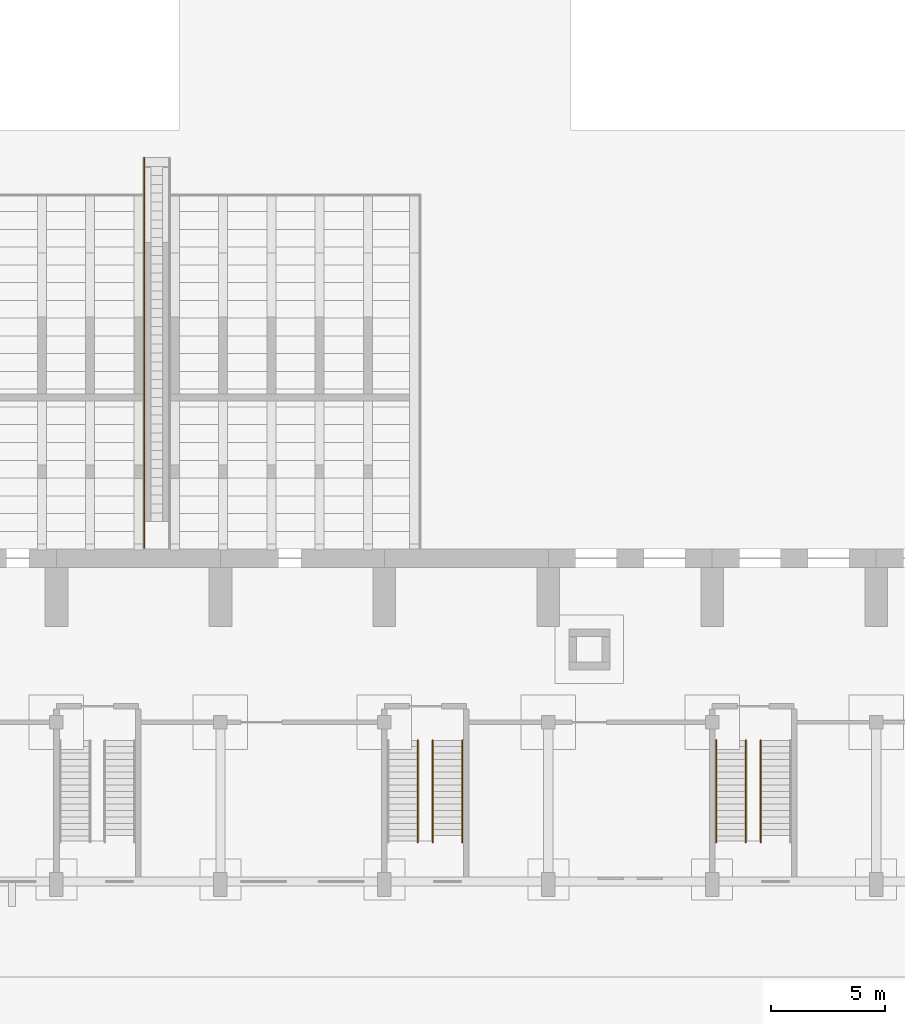
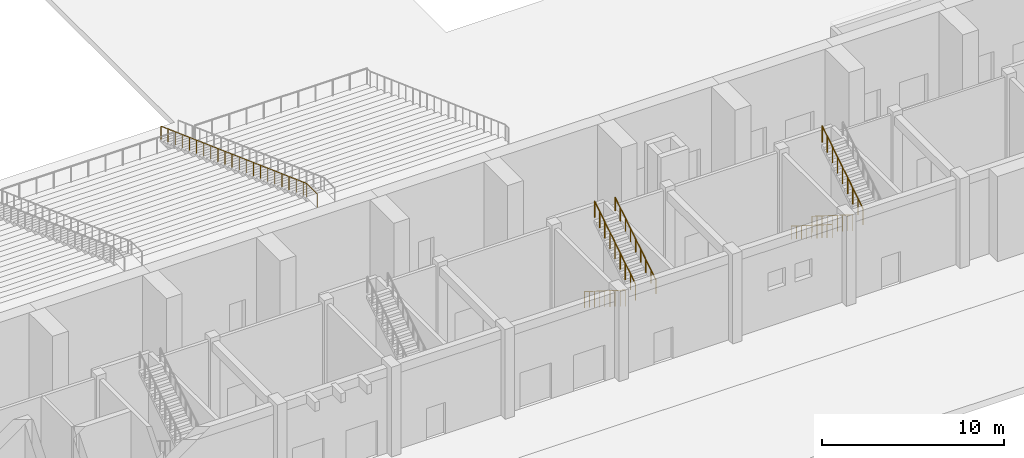
# One storey, part 63 of 70: 7 railings.
"""IFC4 building model written with IfcOpenShell, lengths in metres."""

from ifc_helpers import new_model, si_unit, direction, frame, origin, origin_2d, place, context, subcontext, project, spatial, circle, extrude, material, type_object, element, save


model = new_model("IFC4")

# Units and contexts
model_context = context("Model", 3, precision=1e-05, world=origin(), true_north=direction((0.0, 1.0)))
body_context = subcontext(model_context, "Body", "Model", "MODEL_VIEW")
ifc_project = project(units=[si_unit("LENGTHUNIT", "METRE"), si_unit("AREAUNIT", "SQUARE_METRE"), si_unit("VOLUMEUNIT", "CUBIC_METRE"), si_unit("PLANEANGLEUNIT", "RADIAN"), si_unit("MASSUNIT", "GRAM", prefix="KILO")], contexts=[model_context])

# Site, building, storey
site_placement = place(None, origin())
site = spatial("IfcSite", under=ifc_project, at=site_placement, CompositionType="ELEMENT")
building_placement = place(site_placement, origin())
building = spatial("IfcBuilding", under=site, at=building_placement, Name="Vermilion Court Aquatics Centre", CompositionType="ELEMENT")
storey_placement = place(building_placement, origin())
storey = spatial("IfcBuildingStorey", under=building, at=storey_placement, Name="L00", CompositionType="ELEMENT", Elevation=0.0)

# Railings
ifc_material_1 = material(Name="Steel ASTM A992 Grade 50", Category="steel")
railing_type_1 = type_object("IfcRailingType", Name="South stair guard 1100", PredefinedType="GUARDRAIL", material=ifc_material_1)
railing_1_placement = place(storey_placement, frame((109.47509765625, 6.39990234375, 0.176513671875)))
element("IfcRailing", 1, at=railing_1_placement, inside=storey, type_object=railing_type_1, Name="Stair guard S6.1E", PredefinedType="GUARDRAIL", context=body_context, shape_type="SweptSolid", body=[
    extrude(circle(Radius=0.02392578125, at=origin_2d()), frame((0.0, 0.0, 1.076171875), z_axis=(0.0, -0.846023287082, 0.533145944105), x_axis=(1.0, 0.0, 0.0)), (0.0, 0.0, 1.0), 0.66162109375),
    extrude(circle(Radius=0.02392578125, at=origin_2d()), frame((0.0, -0.559814453125, 1.4287109375), z_axis=(0.0, -0.845961766943, 0.533243554926), x_axis=(1.0, 0.0, 0.0)), (0.0, 0.0, 1.0), 0.662109375),
    extrude(circle(Radius=0.02392578125, at=origin_2d()), frame((0.0, -1.119873046875, 1.78173828125), z_axis=(0.0, -0.845961766943, 0.533243554926), x_axis=(1.0, 0.0, 0.0)), (0.0, 0.0, 1.0), 0.662109375),
    extrude(circle(Radius=0.02392578125, at=origin_2d()), frame((0.0, -1.679931640625, 2.134765625), z_axis=(0.0, -0.846128112635, 0.532979565282), x_axis=(1.0, 0.0, 0.0)), (0.0, 0.0, 1.0), 0.661865234375),
    extrude(circle(Radius=0.02392578125, at=origin_2d()), frame((0.0, -2.239990234375, 2.48779296875), z_axis=(0.0, -0.84585685817, 0.533409950682), x_axis=(1.0, 0.0, 0.0)), (0.0, 0.0, 1.0), 0.661865234375),
    extrude(circle(Radius=0.02392578125, at=origin_2d()), frame((0.0, -2.7998046875, 2.8408203125), z_axis=(0.0, -0.845961766943, 0.533243554926), x_axis=(1.0, 0.0, 0.0)), (0.0, 0.0, 1.0), 0.662109375),
    extrude(circle(Radius=0.02392578125, at=origin_2d()), frame((0.0, -3.35986328125, 3.19384765625), z_axis=(0.0, -0.846128112635, 0.532979565282), x_axis=(1.0, 0.0, 0.0)), (0.0, 0.0, 1.0), 0.661865234375),
    extrude(circle(Radius=0.02392578125, at=origin_2d()), frame((0.0, -3.919921875, 3.54638671875), z_axis=(0.0, -0.845961766943, 0.533243554926), x_axis=(1.0, 0.0, 0.0)), (0.0, 0.0, 1.0), 0.662109375),
    extrude(circle(Radius=0.02099609375, at=origin_2d()), origin(), (0.0, 0.0, 1.0), 1.052001953125),
    extrude(circle(Radius=0.02099609375, at=origin_2d()), frame((0.0, -0.559814453125, 0.352783203125)), (0.0, 0.0, 1.0), 1.052001953125),
    extrude(circle(Radius=0.02099609375, at=origin_2d()), frame((0.0, -1.119873046875, 0.705810546875)), (0.0, 0.0, 1.0), 1.052001953125),
    extrude(circle(Radius=0.02099609375, at=origin_2d()), frame((0.0, -1.679931640625, 1.058837890625)), (0.0, 0.0, 1.0), 1.052001953125),
    extrude(circle(Radius=0.02099609375, at=origin_2d()), frame((0.0, -2.239990234375, 1.41162109375)), (0.0, 0.0, 1.0), 1.052001953125),
    extrude(circle(Radius=0.02099609375, at=origin_2d()), frame((0.0, -2.7998046875, 1.7646484375)), (0.0, 0.0, 1.0), 1.052001953125),
    extrude(circle(Radius=0.02099609375, at=origin_2d()), frame((0.0, -3.35986328125, 2.11767578125)), (0.0, 0.0, 1.0), 1.052001953125),
    extrude(circle(Radius=0.02099609375, at=origin_2d()), frame((0.0, -3.919921875, 2.470458984375)), (0.0, 0.0, 1.0), 1.052001953125),
    extrude(circle(Radius=0.02099609375, at=origin_2d()), frame((0.0, -4.47998046875, 2.823486328125)), (0.0, 0.0, 1.0), 1.052001953125),
])
railing_2_placement = place(storey_placement, frame((110.125, 1.919921875, 3.176513671875)))
element("IfcRailing", 2, at=railing_2_placement, inside=storey, type_object=railing_type_1, Name="Stair guard S6.2W", PredefinedType="GUARDRAIL", context=body_context, shape_type="SweptSolid", body=[
    extrude(circle(Radius=0.02392578125, at=origin_2d()), frame((0.0, 0.0, 1.076171875), z_axis=(0.0, 0.846128112635, 0.532979565282), x_axis=(-1.0, 0.0, 0.0)), (0.0, 0.0, 1.0), 0.661865234375),
    extrude(circle(Radius=0.02392578125, at=origin_2d()), frame((0.0, 0.56005859375, 1.4287109375), z_axis=(0.0, 0.845961766943, 0.533243554926), x_axis=(-1.0, 0.0, 0.0)), (0.0, 0.0, 1.0), 0.662109375),
    extrude(circle(Radius=0.02392578125, at=origin_2d()), frame((0.0, 1.1201171875, 1.78173828125), z_axis=(0.0, 0.845961766943, 0.533243554926), x_axis=(-1.0, 0.0, 0.0)), (0.0, 0.0, 1.0), 0.662109375),
    extrude(circle(Radius=0.02392578125, at=origin_2d()), frame((0.0, 1.68017578125, 2.134765625), z_axis=(0.0, 0.846023287082, 0.533145944105), x_axis=(-1.0, 0.0, 0.0)), (0.0, 0.0, 1.0), 0.66162109375),
    extrude(circle(Radius=0.02392578125, at=origin_2d()), frame((0.0, 2.239990234375, 2.48779296875), z_axis=(0.0, 0.845961766943, 0.533243554926), x_axis=(-1.0, 0.0, 0.0)), (0.0, 0.0, 1.0), 0.662109375),
    extrude(circle(Radius=0.02392578125, at=origin_2d()), frame((0.0, 2.800048828125, 2.8408203125), z_axis=(0.0, 0.845961766943, 0.533243554926), x_axis=(-1.0, 0.0, 0.0)), (0.0, 0.0, 1.0), 0.662109375),
    extrude(circle(Radius=0.02392578125, at=origin_2d()), frame((0.0, 3.360107421875, 3.19384765625), z_axis=(0.0, 0.846128112635, 0.532979565282), x_axis=(-1.0, 0.0, 0.0)), (0.0, 0.0, 1.0), 0.661865234375),
    extrude(circle(Radius=0.02392578125, at=origin_2d()), frame((0.0, 3.920166015625, 3.54638671875), z_axis=(0.0, 0.84585685817, 0.533409950682), x_axis=(-1.0, 0.0, 0.0)), (0.0, 0.0, 1.0), 0.661865234375),
    extrude(circle(Radius=0.02099609375, at=origin_2d()), origin(), (0.0, 0.0, 1.0), 1.052001953125),
    extrude(circle(Radius=0.02099609375, at=origin_2d()), frame((0.0, 0.56005859375, 0.352783203125)), (0.0, 0.0, 1.0), 1.052001953125),
    extrude(circle(Radius=0.02099609375, at=origin_2d()), frame((0.0, 1.1201171875, 0.705810546875)), (0.0, 0.0, 1.0), 1.052001953125),
    extrude(circle(Radius=0.02099609375, at=origin_2d()), frame((0.0, 1.68017578125, 1.058837890625)), (0.0, 0.0, 1.0), 1.052001953125),
    extrude(circle(Radius=0.02099609375, at=origin_2d()), frame((0.0, 2.239990234375, 1.41162109375)), (0.0, 0.0, 1.0), 1.052001953125),
    extrude(circle(Radius=0.02099609375, at=origin_2d()), frame((0.0, 2.800048828125, 1.7646484375)), (0.0, 0.0, 1.0), 1.052001953125),
    extrude(circle(Radius=0.02099609375, at=origin_2d()), frame((0.0, 3.360107421875, 2.11767578125)), (0.0, 0.0, 1.0), 1.052001953125),
    extrude(circle(Radius=0.02099609375, at=origin_2d()), frame((0.0, 3.920166015625, 2.470458984375)), (0.0, 0.0, 1.0), 1.052001953125),
    extrude(circle(Radius=0.02099609375, at=origin_2d()), frame((0.0, 4.47998046875, 2.823486328125)), (0.0, 0.0, 1.0), 1.052001953125),
])
railing_3_placement = place(storey_placement, frame((123.875, 6.39990234375, 0.176513671875)))
element("IfcRailing", 3, at=railing_3_placement, inside=storey, type_object=railing_type_1, Name="Stair guard S7.1E", PredefinedType="GUARDRAIL", context=body_context, shape_type="SweptSolid", body=[
    extrude(circle(Radius=0.02392578125, at=origin_2d()), frame((0.0, 0.0, 1.076171875), z_axis=(0.0, -0.846023287082, 0.533145944105), x_axis=(1.0, 0.0, 0.0)), (0.0, 0.0, 1.0), 0.66162109375),
    extrude(circle(Radius=0.02392578125, at=origin_2d()), frame((0.0, -0.559814453125, 1.4287109375), z_axis=(0.0, -0.845961766943, 0.533243554926), x_axis=(1.0, 0.0, 0.0)), (0.0, 0.0, 1.0), 0.662109375),
    extrude(circle(Radius=0.02392578125, at=origin_2d()), frame((0.0, -1.119873046875, 1.78173828125), z_axis=(0.0, -0.845961766943, 0.533243554926), x_axis=(1.0, 0.0, 0.0)), (0.0, 0.0, 1.0), 0.662109375),
    extrude(circle(Radius=0.02392578125, at=origin_2d()), frame((0.0, -1.679931640625, 2.134765625), z_axis=(0.0, -0.846128112635, 0.532979565282), x_axis=(1.0, 0.0, 0.0)), (0.0, 0.0, 1.0), 0.661865234375),
    extrude(circle(Radius=0.02392578125, at=origin_2d()), frame((0.0, -2.239990234375, 2.48779296875), z_axis=(0.0, -0.84585685817, 0.533409950682), x_axis=(1.0, 0.0, 0.0)), (0.0, 0.0, 1.0), 0.661865234375),
    extrude(circle(Radius=0.02392578125, at=origin_2d()), frame((0.0, -2.7998046875, 2.8408203125), z_axis=(0.0, -0.845961766943, 0.533243554926), x_axis=(1.0, 0.0, 0.0)), (0.0, 0.0, 1.0), 0.662109375),
    extrude(circle(Radius=0.02392578125, at=origin_2d()), frame((0.0, -3.35986328125, 3.19384765625), z_axis=(0.0, -0.846128112635, 0.532979565282), x_axis=(1.0, 0.0, 0.0)), (0.0, 0.0, 1.0), 0.661865234375),
    extrude(circle(Radius=0.02392578125, at=origin_2d()), frame((0.0, -3.919921875, 3.54638671875), z_axis=(0.0, -0.845961766943, 0.533243554926), x_axis=(1.0, 0.0, 0.0)), (0.0, 0.0, 1.0), 0.662109375),
    extrude(circle(Radius=0.02099609375, at=origin_2d()), origin(), (0.0, 0.0, 1.0), 1.052001953125),
    extrude(circle(Radius=0.02099609375, at=origin_2d()), frame((0.0, -0.559814453125, 0.352783203125)), (0.0, 0.0, 1.0), 1.052001953125),
    extrude(circle(Radius=0.02099609375, at=origin_2d()), frame((0.0, -1.119873046875, 0.705810546875)), (0.0, 0.0, 1.0), 1.052001953125),
    extrude(circle(Radius=0.02099609375, at=origin_2d()), frame((0.0, -1.679931640625, 1.058837890625)), (0.0, 0.0, 1.0), 1.052001953125),
    extrude(circle(Radius=0.02099609375, at=origin_2d()), frame((0.0, -2.239990234375, 1.41162109375)), (0.0, 0.0, 1.0), 1.052001953125),
    extrude(circle(Radius=0.02099609375, at=origin_2d()), frame((0.0, -2.7998046875, 1.7646484375)), (0.0, 0.0, 1.0), 1.052001953125),
    extrude(circle(Radius=0.02099609375, at=origin_2d()), frame((0.0, -3.35986328125, 2.11767578125)), (0.0, 0.0, 1.0), 1.052001953125),
    extrude(circle(Radius=0.02099609375, at=origin_2d()), frame((0.0, -3.919921875, 2.470458984375)), (0.0, 0.0, 1.0), 1.052001953125),
    extrude(circle(Radius=0.02099609375, at=origin_2d()), frame((0.0, -4.47998046875, 2.823486328125)), (0.0, 0.0, 1.0), 1.052001953125),
])
railing_4_placement = place(storey_placement, frame((124.52490234375, 1.919921875, 3.176513671875)))
element("IfcRailing", 4, at=railing_4_placement, inside=storey, type_object=railing_type_1, Name="Stair guard S7.2W", PredefinedType="GUARDRAIL", context=body_context, shape_type="SweptSolid", body=[
    extrude(circle(Radius=0.02392578125, at=origin_2d()), frame((0.0, 0.0, 1.076171875), z_axis=(0.0, 0.846128112635, 0.532979565282), x_axis=(-1.0, 0.0, 0.0)), (0.0, 0.0, 1.0), 0.661865234375),
    extrude(circle(Radius=0.02392578125, at=origin_2d()), frame((0.0, 0.56005859375, 1.4287109375), z_axis=(0.0, 0.845961766943, 0.533243554926), x_axis=(-1.0, 0.0, 0.0)), (0.0, 0.0, 1.0), 0.662109375),
    extrude(circle(Radius=0.02392578125, at=origin_2d()), frame((0.0, 1.1201171875, 1.78173828125), z_axis=(0.0, 0.845961766943, 0.533243554926), x_axis=(-1.0, 0.0, 0.0)), (0.0, 0.0, 1.0), 0.662109375),
    extrude(circle(Radius=0.02392578125, at=origin_2d()), frame((0.0, 1.68017578125, 2.134765625), z_axis=(0.0, 0.846023287082, 0.533145944105), x_axis=(-1.0, 0.0, 0.0)), (0.0, 0.0, 1.0), 0.66162109375),
    extrude(circle(Radius=0.02392578125, at=origin_2d()), frame((0.0, 2.239990234375, 2.48779296875), z_axis=(0.0, 0.845961766943, 0.533243554926), x_axis=(-1.0, 0.0, 0.0)), (0.0, 0.0, 1.0), 0.662109375),
    extrude(circle(Radius=0.02392578125, at=origin_2d()), frame((0.0, 2.800048828125, 2.8408203125), z_axis=(0.0, 0.845961766943, 0.533243554926), x_axis=(-1.0, 0.0, 0.0)), (0.0, 0.0, 1.0), 0.662109375),
    extrude(circle(Radius=0.02392578125, at=origin_2d()), frame((0.0, 3.360107421875, 3.19384765625), z_axis=(0.0, 0.846128112635, 0.532979565282), x_axis=(-1.0, 0.0, 0.0)), (0.0, 0.0, 1.0), 0.661865234375),
    extrude(circle(Radius=0.02392578125, at=origin_2d()), frame((0.0, 3.920166015625, 3.54638671875), z_axis=(0.0, 0.84585685817, 0.533409950682), x_axis=(-1.0, 0.0, 0.0)), (0.0, 0.0, 1.0), 0.661865234375),
    extrude(circle(Radius=0.02099609375, at=origin_2d()), origin(), (0.0, 0.0, 1.0), 1.052001953125),
    extrude(circle(Radius=0.02099609375, at=origin_2d()), frame((0.0, 0.56005859375, 0.352783203125)), (0.0, 0.0, 1.0), 1.052001953125),
    extrude(circle(Radius=0.02099609375, at=origin_2d()), frame((0.0, 1.1201171875, 0.705810546875)), (0.0, 0.0, 1.0), 1.052001953125),
    extrude(circle(Radius=0.02099609375, at=origin_2d()), frame((0.0, 1.68017578125, 1.058837890625)), (0.0, 0.0, 1.0), 1.052001953125),
    extrude(circle(Radius=0.02099609375, at=origin_2d()), frame((0.0, 2.239990234375, 1.41162109375)), (0.0, 0.0, 1.0), 1.052001953125),
    extrude(circle(Radius=0.02099609375, at=origin_2d()), frame((0.0, 2.800048828125, 1.7646484375)), (0.0, 0.0, 1.0), 1.052001953125),
    extrude(circle(Radius=0.02099609375, at=origin_2d()), frame((0.0, 3.360107421875, 2.11767578125)), (0.0, 0.0, 1.0), 1.052001953125),
    extrude(circle(Radius=0.02099609375, at=origin_2d()), frame((0.0, 3.920166015625, 2.470458984375)), (0.0, 0.0, 1.0), 1.052001953125),
    extrude(circle(Radius=0.02099609375, at=origin_2d()), frame((0.0, 4.47998046875, 2.823486328125)), (0.0, 0.0, 1.0), 1.052001953125),
])
ifc_material_2 = material(Name="Steel ASTM A992 Grade 50", Category="steel")
railing_type_2 = type_object("IfcRailingType", Name="South stair handrail 900", PredefinedType="HANDRAIL", material=ifc_material_2)
railing_5_placement = place(storey_placement, frame((111.425048828125, 1.919921875, 3.176513671875)))
element("IfcRailing", 5, at=railing_5_placement, inside=storey, type_object=railing_type_2, Name="Stair handrail S6.2E", PredefinedType="HANDRAIL", context=body_context, shape_type="SweptSolid", body=[
    extrude(circle(Radius=0.02392578125, at=origin_2d()), frame((0.0, 0.0, 0.8759765625), z_axis=(0.0, 0.846128112635, 0.532979565282), x_axis=(-1.0, 0.0, 0.0)), (0.0, 0.0, 1.0), 0.661865234375),
    extrude(circle(Radius=0.02392578125, at=origin_2d()), frame((0.0, 0.56005859375, 1.228515625), z_axis=(0.0, 0.845961766943, 0.533243554926), x_axis=(-1.0, 0.0, 0.0)), (0.0, 0.0, 1.0), 0.662109375),
    extrude(circle(Radius=0.02392578125, at=origin_2d()), frame((0.0, 1.1201171875, 1.58154296875), z_axis=(0.0, 0.845961766943, 0.533243554926), x_axis=(-1.0, 0.0, 0.0)), (0.0, 0.0, 1.0), 0.662109375),
    extrude(circle(Radius=0.02392578125, at=origin_2d()), frame((0.0, 1.68017578125, 1.9345703125), z_axis=(0.0, 0.846023287082, 0.533145944105), x_axis=(-1.0, 0.0, 0.0)), (0.0, 0.0, 1.0), 0.66162109375),
    extrude(circle(Radius=0.02392578125, at=origin_2d()), frame((0.0, 2.239990234375, 2.28759765625), z_axis=(0.0, 0.845961766943, 0.533243554926), x_axis=(-1.0, 0.0, 0.0)), (0.0, 0.0, 1.0), 0.662109375),
    extrude(circle(Radius=0.02392578125, at=origin_2d()), frame((0.0, 2.800048828125, 2.640625), z_axis=(0.0, 0.845961766943, 0.533243554926), x_axis=(-1.0, 0.0, 0.0)), (0.0, 0.0, 1.0), 0.662109375),
    extrude(circle(Radius=0.02392578125, at=origin_2d()), frame((0.0, 3.360107421875, 2.99365234375), z_axis=(0.0, 0.846128112635, 0.532979565282), x_axis=(-1.0, 0.0, 0.0)), (0.0, 0.0, 1.0), 0.661865234375),
    extrude(circle(Radius=0.02392578125, at=origin_2d()), frame((0.0, 3.920166015625, 3.34619140625), z_axis=(0.0, 0.84585685817, 0.533409950682), x_axis=(-1.0, 0.0, 0.0)), (0.0, 0.0, 1.0), 0.661865234375),
    extrude(circle(Radius=0.02099609375, at=origin_2d()), origin(), (0.0, 0.0, 1.0), 0.851806640625),
    extrude(circle(Radius=0.02099609375, at=origin_2d()), frame((0.0, 0.56005859375, 0.352783203125)), (0.0, 0.0, 1.0), 0.851806640625),
    extrude(circle(Radius=0.02099609375, at=origin_2d()), frame((0.0, 1.1201171875, 0.705810546875)), (0.0, 0.0, 1.0), 0.851806640625),
    extrude(circle(Radius=0.02099609375, at=origin_2d()), frame((0.0, 1.68017578125, 1.058837890625)), (0.0, 0.0, 1.0), 0.851806640625),
    extrude(circle(Radius=0.02099609375, at=origin_2d()), frame((0.0, 2.239990234375, 1.41162109375)), (0.0, 0.0, 1.0), 0.851806640625),
    extrude(circle(Radius=0.02099609375, at=origin_2d()), frame((0.0, 2.800048828125, 1.7646484375)), (0.0, 0.0, 1.0), 0.851806640625),
    extrude(circle(Radius=0.02099609375, at=origin_2d()), frame((0.0, 3.360107421875, 2.11767578125)), (0.0, 0.0, 1.0), 0.851806640625),
    extrude(circle(Radius=0.02099609375, at=origin_2d()), frame((0.0, 3.920166015625, 2.470458984375)), (0.0, 0.0, 1.0), 0.851806640625),
    extrude(circle(Radius=0.02099609375, at=origin_2d()), frame((0.0, 4.47998046875, 2.823486328125)), (0.0, 0.0, 1.0), 0.851806640625),
])
railing_6_placement = place(storey_placement, frame((122.574951171875, 6.39990234375, 0.176513671875)))
element("IfcRailing", 6, at=railing_6_placement, inside=storey, type_object=railing_type_2, Name="Stair handrail S7.1W", PredefinedType="HANDRAIL", context=body_context, shape_type="SweptSolid", body=[
    extrude(circle(Radius=0.02392578125, at=origin_2d()), frame((0.0, 0.0, 0.8759765625), z_axis=(0.0, -0.846023287082, 0.533145944105), x_axis=(1.0, 0.0, 0.0)), (0.0, 0.0, 1.0), 0.66162109375),
    extrude(circle(Radius=0.02392578125, at=origin_2d()), frame((0.0, -0.559814453125, 1.228515625), z_axis=(0.0, -0.845961766943, 0.533243554926), x_axis=(1.0, 0.0, 0.0)), (0.0, 0.0, 1.0), 0.662109375),
    extrude(circle(Radius=0.02392578125, at=origin_2d()), frame((0.0, -1.119873046875, 1.58154296875), z_axis=(0.0, -0.845961766943, 0.533243554926), x_axis=(1.0, 0.0, 0.0)), (0.0, 0.0, 1.0), 0.662109375),
    extrude(circle(Radius=0.02392578125, at=origin_2d()), frame((0.0, -1.679931640625, 1.9345703125), z_axis=(0.0, -0.846128112635, 0.532979565282), x_axis=(1.0, 0.0, 0.0)), (0.0, 0.0, 1.0), 0.661865234375),
    extrude(circle(Radius=0.02392578125, at=origin_2d()), frame((0.0, -2.239990234375, 2.28759765625), z_axis=(0.0, -0.84585685817, 0.533409950682), x_axis=(1.0, 0.0, 0.0)), (0.0, 0.0, 1.0), 0.661865234375),
    extrude(circle(Radius=0.02392578125, at=origin_2d()), frame((0.0, -2.7998046875, 2.640625), z_axis=(0.0, -0.845961766943, 0.533243554926), x_axis=(1.0, 0.0, 0.0)), (0.0, 0.0, 1.0), 0.662109375),
    extrude(circle(Radius=0.02392578125, at=origin_2d()), frame((0.0, -3.35986328125, 2.99365234375), z_axis=(0.0, -0.846128112635, 0.532979565282), x_axis=(1.0, 0.0, 0.0)), (0.0, 0.0, 1.0), 0.661865234375),
    extrude(circle(Radius=0.02392578125, at=origin_2d()), frame((0.0, -3.919921875, 3.34619140625), z_axis=(0.0, -0.845961766943, 0.533243554926), x_axis=(1.0, 0.0, 0.0)), (0.0, 0.0, 1.0), 0.662109375),
    extrude(circle(Radius=0.02099609375, at=origin_2d()), origin(), (0.0, 0.0, 1.0), 0.851806640625),
    extrude(circle(Radius=0.02099609375, at=origin_2d()), frame((0.0, -0.559814453125, 0.352783203125)), (0.0, 0.0, 1.0), 0.851806640625),
    extrude(circle(Radius=0.02099609375, at=origin_2d()), frame((0.0, -1.119873046875, 0.705810546875)), (0.0, 0.0, 1.0), 0.851806640625),
    extrude(circle(Radius=0.02099609375, at=origin_2d()), frame((0.0, -1.679931640625, 1.058837890625)), (0.0, 0.0, 1.0), 0.851806640625),
    extrude(circle(Radius=0.02099609375, at=origin_2d()), frame((0.0, -2.239990234375, 1.41162109375)), (0.0, 0.0, 1.0), 0.851806640625),
    extrude(circle(Radius=0.02099609375, at=origin_2d()), frame((0.0, -2.7998046875, 1.7646484375)), (0.0, 0.0, 1.0), 0.851806640625),
    extrude(circle(Radius=0.02099609375, at=origin_2d()), frame((0.0, -3.35986328125, 2.11767578125)), (0.0, 0.0, 1.0), 0.851806640625),
    extrude(circle(Radius=0.02099609375, at=origin_2d()), frame((0.0, -3.919921875, 2.470458984375)), (0.0, 0.0, 1.0), 0.851806640625),
    extrude(circle(Radius=0.02099609375, at=origin_2d()), frame((0.0, -4.47998046875, 2.823486328125)), (0.0, 0.0, 1.0), 0.851806640625),
])
ifc_material_3 = material(Name="Steel ASTM A992 Grade 50", Category="steel")
railing_type_3 = type_object("IfcRailingType", Name="Tribune aisle stair handrail 900", PredefinedType="HANDRAIL", material=ifc_material_3)
railing_7_placement = place(storey_placement, frame((97.449951171875, 31.989990234375, 0.142822265625)))
element("IfcRailing", 7, at=railing_7_placement, inside=storey, type_object=railing_type_3, Name="Aisle stair handrail 5W", PredefinedType="HANDRAIL", context=body_context, shape_type="SweptSolid", body=[
    extrude(circle(Radius=0.02392578125, at=origin_2d()), frame((0.0, 0.0, 0.8759765625), z_axis=(0.0, -0.939018724958, 0.343866011956), x_axis=(1.0, 0.0, 0.0)), (0.0, 0.0, 1.0), 0.83056640625),
    extrude(circle(Radius=0.02392578125, at=origin_2d()), frame((0.0, -0.780029296875, 1.16162109375), z_axis=(0.0, -0.938923798649, 0.344125123073), x_axis=(1.0, 0.0, 0.0)), (0.0, 0.0, 1.0), 0.830810546875),
    extrude(circle(Radius=0.02392578125, at=origin_2d()), frame((0.0, -1.56005859375, 1.447265625), z_axis=(0.0, -0.939018724958, 0.343866011956), x_axis=(1.0, 0.0, 0.0)), (0.0, 0.0, 1.0), 0.83056640625),
    extrude(circle(Radius=0.02392578125, at=origin_2d()), frame((0.0, -2.340087890625, 1.73291015625), z_axis=(0.0, -0.938983958399, 0.343960936546), x_axis=(1.0, 0.0, 0.0)), (0.0, 0.0, 1.0), 0.83056640625),
    extrude(circle(Radius=0.02392578125, at=origin_2d()), frame((0.0, -3.119873046875, 2.0185546875), z_axis=(0.0, -0.938923798649, 0.344125123073), x_axis=(1.0, 0.0, 0.0)), (0.0, 0.0, 1.0), 0.830810546875),
    extrude(circle(Radius=0.02392578125, at=origin_2d()), frame((0.0, -3.89990234375, 2.3046875), z_axis=(0.0, -0.939018724958, 0.343866011956), x_axis=(1.0, 0.0, 0.0)), (0.0, 0.0, 1.0), 0.83056640625),
    extrude(circle(Radius=0.02392578125, at=origin_2d()), frame((0.0, -4.679931640625, 2.59033203125), z_axis=(0.0, -0.939018724958, 0.343866011956), x_axis=(1.0, 0.0, 0.0)), (0.0, 0.0, 1.0), 0.83056640625),
    extrude(circle(Radius=0.02392578125, at=origin_2d()), frame((0.0, -5.4599609375, 2.8759765625), z_axis=(0.0, -0.939018724958, 0.343866011956), x_axis=(1.0, 0.0, 0.0)), (0.0, 0.0, 1.0), 0.83056640625),
    extrude(circle(Radius=0.02392578125, at=origin_2d()), frame((0.0, -6.239990234375, 3.16162109375), z_axis=(0.0, -0.938923798649, 0.344125123073), x_axis=(1.0, 0.0, 0.0)), (0.0, 0.0, 1.0), 0.830810546875),
    extrude(circle(Radius=0.02392578125, at=origin_2d()), frame((0.0, -7.02001953125, 3.447265625), z_axis=(0.0, -0.939018724958, 0.343866011956), x_axis=(1.0, 0.0, 0.0)), (0.0, 0.0, 1.0), 0.83056640625),
    extrude(circle(Radius=0.02392578125, at=origin_2d()), frame((0.0, -7.800048828125, 3.73291015625), z_axis=(0.0, -0.939018724958, 0.343866011956), x_axis=(1.0, 0.0, 0.0)), (0.0, 0.0, 1.0), 0.83056640625),
    extrude(circle(Radius=0.02392578125, at=origin_2d()), frame((0.0, -8.580078125, 4.0185546875), z_axis=(0.0, -0.938923798649, 0.344125123073), x_axis=(1.0, 0.0, 0.0)), (0.0, 0.0, 1.0), 0.830810546875),
    extrude(circle(Radius=0.02392578125, at=origin_2d()), frame((0.0, -9.360107421875, 4.3046875), z_axis=(0.0, -0.938983958399, 0.343960936546), x_axis=(1.0, 0.0, 0.0)), (0.0, 0.0, 1.0), 0.83056640625),
    extrude(circle(Radius=0.02392578125, at=origin_2d()), frame((0.0, -10.139892578125, 4.59033203125), z_axis=(0.0, -0.939018724958, 0.343866011956), x_axis=(1.0, 0.0, 0.0)), (0.0, 0.0, 1.0), 0.83056640625),
    extrude(circle(Radius=0.02392578125, at=origin_2d()), frame((0.0, -10.919921875, 4.8759765625), z_axis=(0.0, -0.939018724958, 0.343866011956), x_axis=(1.0, 0.0, 0.0)), (0.0, 0.0, 1.0), 0.83056640625),
    extrude(circle(Radius=0.02392578125, at=origin_2d()), frame((0.0, -11.699951171875, 5.16162109375), z_axis=(0.0, -0.938923798649, 0.344125123073), x_axis=(1.0, 0.0, 0.0)), (0.0, 0.0, 1.0), 0.830810546875),
    extrude(circle(Radius=0.02392578125, at=origin_2d()), frame((0.0, -12.47998046875, 5.447265625), z_axis=(0.0, -0.939018724958, 0.343866011956), x_axis=(1.0, 0.0, 0.0)), (0.0, 0.0, 1.0), 0.83056640625),
    extrude(circle(Radius=0.02392578125, at=origin_2d()), frame((0.0, -13.260009765625, 5.73291015625), z_axis=(0.0, -0.939018724958, 0.343866011956), x_axis=(1.0, 0.0, 0.0)), (0.0, 0.0, 1.0), 0.83056640625),
    extrude(circle(Radius=0.02392578125, at=origin_2d()), frame((0.0, -14.0400390625, 6.0185546875), z_axis=(0.0, -0.938923798649, 0.344125123073), x_axis=(1.0, 0.0, 0.0)), (0.0, 0.0, 1.0), 0.830810546875),
    extrude(circle(Radius=0.02392578125, at=origin_2d()), frame((0.0, -14.820068359375, 6.3046875), z_axis=(0.0, -0.939018724958, 0.343866011956), x_axis=(1.0, 0.0, 0.0)), (0.0, 0.0, 1.0), 0.83056640625),
    extrude(circle(Radius=0.02392578125, at=origin_2d()), frame((0.0, -15.60009765625, 6.59033203125), z_axis=(0.0, -0.938983958399, 0.343960936546), x_axis=(1.0, 0.0, 0.0)), (0.0, 0.0, 1.0), 0.415283203125),
    extrude(circle(Radius=0.02392578125, at=origin_2d()), frame((0.0, -15.989990234375, 6.73291015625), z_axis=(0.0, -1.0, 0.0), x_axis=(1.0, 0.0, 0.0)), (0.0, 0.0, 1.0), 1.14990234375),
    extrude(circle(Radius=0.02099609375, at=origin_2d()), origin(), (0.0, 0.0, 1.0), 0.851806640625),
    extrude(circle(Radius=0.02099609375, at=origin_2d()), frame((0.0, -0.780029296875, 0.28564453125)), (0.0, 0.0, 1.0), 0.851806640625),
    extrude(circle(Radius=0.02099609375, at=origin_2d()), frame((0.0, -1.56005859375, 0.571533203125)), (0.0, 0.0, 1.0), 0.851806640625),
    extrude(circle(Radius=0.02099609375, at=origin_2d()), frame((0.0, -2.340087890625, 0.857177734375)), (0.0, 0.0, 1.0), 0.851806640625),
    extrude(circle(Radius=0.02099609375, at=origin_2d()), frame((0.0, -3.119873046875, 1.142822265625)), (0.0, 0.0, 1.0), 0.851806640625),
    extrude(circle(Radius=0.02099609375, at=origin_2d()), frame((0.0, -3.89990234375, 1.4287109375)), (0.0, 0.0, 1.0), 0.851806640625),
    extrude(circle(Radius=0.02099609375, at=origin_2d()), frame((0.0, -4.679931640625, 1.71435546875)), (0.0, 0.0, 1.0), 0.851806640625),
    extrude(circle(Radius=0.02099609375, at=origin_2d()), frame((0.0, -5.4599609375, 2.0)), (0.0, 0.0, 1.0), 0.851806640625),
    extrude(circle(Radius=0.02099609375, at=origin_2d()), frame((0.0, -6.239990234375, 2.28564453125)), (0.0, 0.0, 1.0), 0.851806640625),
    extrude(circle(Radius=0.02099609375, at=origin_2d()), frame((0.0, -7.02001953125, 2.571533203125)), (0.0, 0.0, 1.0), 0.851806640625),
    extrude(circle(Radius=0.02099609375, at=origin_2d()), frame((0.0, -7.800048828125, 2.857177734375)), (0.0, 0.0, 1.0), 0.851806640625),
    extrude(circle(Radius=0.02099609375, at=origin_2d()), frame((0.0, -8.580078125, 3.142822265625)), (0.0, 0.0, 1.0), 0.851806640625),
    extrude(circle(Radius=0.02099609375, at=origin_2d()), frame((0.0, -9.360107421875, 3.4287109375)), (0.0, 0.0, 1.0), 0.851806640625),
    extrude(circle(Radius=0.02099609375, at=origin_2d()), frame((0.0, -10.139892578125, 3.71435546875)), (0.0, 0.0, 1.0), 0.851806640625),
    extrude(circle(Radius=0.02099609375, at=origin_2d()), frame((0.0, -10.919921875, 4.0)), (0.0, 0.0, 1.0), 0.851806640625),
    extrude(circle(Radius=0.02099609375, at=origin_2d()), frame((0.0, -11.699951171875, 4.28564453125)), (0.0, 0.0, 1.0), 0.851806640625),
    extrude(circle(Radius=0.02099609375, at=origin_2d()), frame((0.0, -12.47998046875, 4.571533203125)), (0.0, 0.0, 1.0), 0.851806640625),
    extrude(circle(Radius=0.02099609375, at=origin_2d()), frame((0.0, -13.260009765625, 4.857177734375)), (0.0, 0.0, 1.0), 0.851806640625),
    extrude(circle(Radius=0.02099609375, at=origin_2d()), frame((0.0, -14.0400390625, 5.142822265625)), (0.0, 0.0, 1.0), 0.851806640625),
    extrude(circle(Radius=0.02099609375, at=origin_2d()), frame((0.0, -14.820068359375, 5.4287109375)), (0.0, 0.0, 1.0), 0.851806640625),
    extrude(circle(Radius=0.02099609375, at=origin_2d()), frame((0.0, -15.60009765625, 5.71435546875)), (0.0, 0.0, 1.0), 0.851806640625),
    extrude(circle(Radius=0.02099609375, at=origin_2d()), frame((0.0, -15.989990234375, 5.857177734375)), (0.0, 0.0, 1.0), 0.851806640625),
    extrude(circle(Radius=0.02099609375, at=origin_2d()), frame((0.0, -17.139892578125, 5.857177734375)), (0.0, 0.0, 1.0), 0.851806640625),
])

save(model, "model.ifc")
